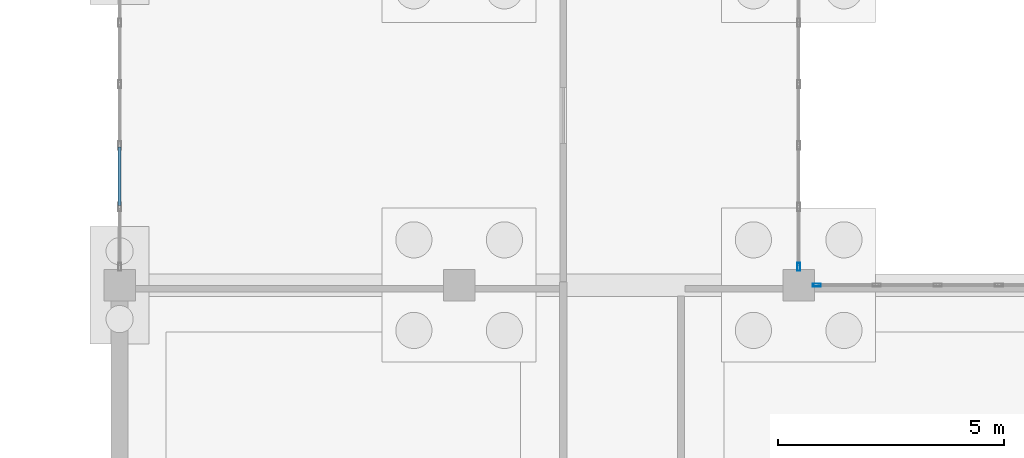
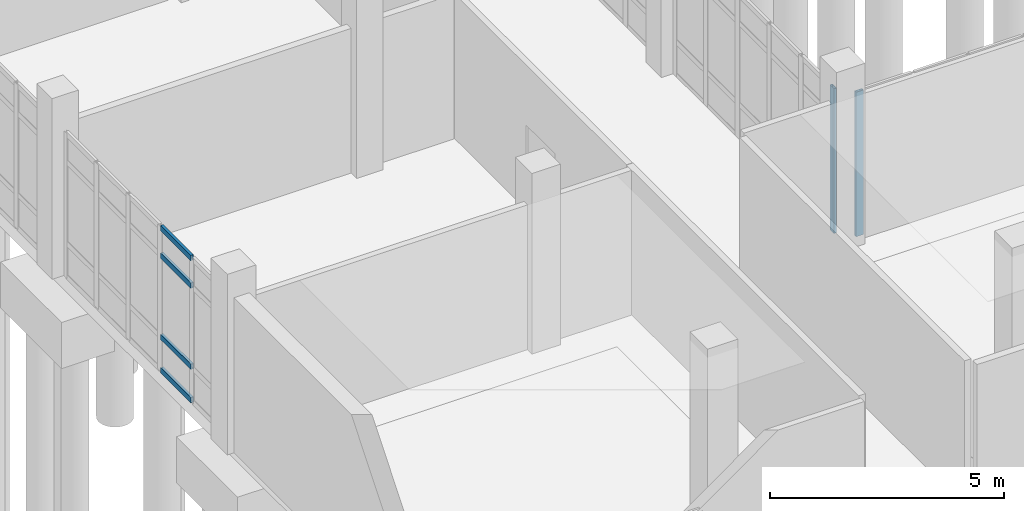
# One storey, part 38 of 173: 6 members, 3 elements without a shape of their own.
"""IFC4 building model written with IfcOpenShell, lengths in metres."""

from ifc_helpers import new_model, si_unit, direction, frame, origin, origin_2d, place, context, subcontext, project, spatial, hollow_rectangle, extrude, material, layer, layer_set, material_profile, profile_set, type_object, element, aggregate, save


model = new_model("IFC4")

# Units and contexts
model_context = context("Model", 3, precision=1e-05, world=origin(), true_north=direction((0.0, 1.0)))
body_context = subcontext(model_context, "Body", "Model", "MODEL_VIEW")
ifc_project = project(units=[si_unit("LENGTHUNIT", "METRE"), si_unit("AREAUNIT", "SQUARE_METRE"), si_unit("VOLUMEUNIT", "CUBIC_METRE"), si_unit("PLANEANGLEUNIT", "RADIAN"), si_unit("MASSUNIT", "GRAM", prefix="KILO")], contexts=[model_context])

# Site, building, storey
site_placement = place(None, origin())
site = spatial("IfcSite", under=ifc_project, at=site_placement, CompositionType="ELEMENT")
building_placement = place(site_placement, origin())
building = spatial("IfcBuilding", under=site, at=building_placement, Name="Mawjan Specialist Oncology Clinic", CompositionType="ELEMENT")
storey_placement = place(building_placement, origin())
storey = spatial("IfcBuildingStorey", under=building, at=storey_placement, Name="L00", CompositionType="ELEMENT", Elevation=0.0)

# Curtain wall, member
ifc_material_1 = material(Name="Unitised spectrally selective aluminium curtain wall", Category="aluminium")
ifc_layer_1 = layer(ifc_material_1, 0.179931640625, Name="Unitised spectrally selective aluminium curtain wall", Category="aluminium")
ifc_layer_set_1 = layer_set([ifc_layer_1], Name="Unitised spectrally selective aluminium curtain wall")
curtain_wall_type_1 = type_object("IfcCurtainWallType", Name="CW-29", PredefinedType="NOTDEFINED", material=ifc_layer_set_1)
curtain_wall_1_placement = place(storey_placement, origin())
curtain_wall_1 = element("IfcCurtainWall", 1, at=curtain_wall_1_placement, inside=storey, type_object=curtain_wall_type_1, Name="L00 Unitised Curtain Wall CW-L00-056", PredefinedType="NOTDEFINED")
ifc_material_2 = material(Name="Thermally broken aluminium 6063-T6", Category="aluminium")
ifc_material_profile_1 = material_profile(ifc_material_2, hollow_rectangle(XDim=0.06494140625, YDim=0.179931640625, WallThickness=0.00390625, at=origin_2d()), Name="ALU MULLION 180x65x4", Category="aluminium")
ifc_profile_set_1 = profile_set([ifc_material_profile_1], Name="Thermally broken aluminium 6063-T6")
member_type_1 = type_object("IfcMemberType", Name="CW-M180", PredefinedType="MULLION", material=ifc_profile_set_1)
member_1_placement = place(storey_placement, frame((15.402587890625, 45.800048828125, 0.0), z_axis=(0.0, 0.0, 1.0), x_axis=(0.0, 1.0, 0.0)))
member_1 = element("IfcMember", 2, at=member_1_placement, type_object=member_type_1, Name="CW-29 mullion 1", PredefinedType="MULLION", context=body_context, shape_type="SweptSolid", body=[
    extrude(hollow_rectangle(XDim=0.06494140625, YDim=0.179931640625, WallThickness=0.00390625, at=origin_2d()), origin(), (0.0, 0.0, 1.0), 3.764892578125),
])
aggregate(curtain_wall_1, [member_1])

ifc_material_3 = material(Name="Unitised spectrally selective aluminium curtain wall", Category="aluminium")
ifc_layer_2 = layer(ifc_material_3, 0.179931640625, Name="Unitised spectrally selective aluminium curtain wall", Category="aluminium")
ifc_layer_set_2 = layer_set([ifc_layer_2], Name="Unitised spectrally selective aluminium curtain wall")
curtain_wall_type_2 = type_object("IfcCurtainWallType", Name="CW-03", PredefinedType="NOTDEFINED", material=ifc_layer_set_2)
curtain_wall_2_placement = place(storey_placement, origin())
curtain_wall_2 = element("IfcCurtainWall", 3, at=curtain_wall_2_placement, inside=storey, type_object=curtain_wall_type_2, Name="L00 Unitised Curtain Wall CW-L00-063", PredefinedType="NOTDEFINED")
member_2_placement = place(storey_placement, frame((15.0, 46.202392578125, 0.0), z_axis=(0.0, 0.0, 1.0), x_axis=(1.0, 0.0, 0.0)))
member_2 = element("IfcMember", 4, at=member_2_placement, type_object=member_type_1, Name="CW-03 mullion 6", PredefinedType="MULLION", context=body_context, shape_type="SweptSolid", body=[
    extrude(hollow_rectangle(XDim=0.06494140625, YDim=0.179931640625, WallThickness=0.00390625, at=origin_2d()), origin(), (0.0, 0.0, 1.0), 3.764892578125),
])
aggregate(curtain_wall_2, [member_2])

# Curtain wall, members
curtain_wall_3_placement = place(storey_placement, origin())
curtain_wall_3 = element("IfcCurtainWall", 5, at=curtain_wall_3_placement, inside=storey, type_object=curtain_wall_type_2, Name="L00 Unitised Curtain Wall CW-L00-005", PredefinedType="NOTDEFINED")
ifc_material_4 = material(Name="Thermally broken aluminium 6063-T6", Category="aluminium")
ifc_material_profile_2 = material_profile(ifc_material_4, hollow_rectangle(XDim=0.06494140625, YDim=0.139892578125, WallThickness=0.00390625, at=origin_2d()), Name="ALU TRANSOM 140x65x4", Category="aluminium")
ifc_profile_set_2 = profile_set([ifc_material_profile_2], Name="Thermally broken aluminium 6063-T6")
member_type_2 = type_object("IfcMemberType", Name="CW-T140", PredefinedType="USERDEFINED", material=ifc_profile_set_2)
member_3_placement = place(storey_placement, frame((0.0, 47.5595703125, 0.032470703125), z_axis=(0.0, 1.0, 0.0), x_axis=(-1.0, 0.0, 0.0)))
member_3 = element("IfcMember", 6, at=member_3_placement, type_object=member_type_2, Name="CW-03 transom 2.1", ObjectType="TRANSOM", PredefinedType="USERDEFINED", context=body_context, shape_type="SweptSolid", body=[
    extrude(hollow_rectangle(XDim=0.06494140625, YDim=0.139892578125, WallThickness=0.00390625, at=origin_2d()), origin(), (0.0, 0.0, 1.0), 1.2919921875),
])
member_4_placement = place(storey_placement, frame((0.0, 47.5595703125, 0.89990234375), z_axis=(0.0, 1.0, 0.0), x_axis=(-1.0, 0.0, 0.0)))
member_4 = element("IfcMember", 7, at=member_4_placement, type_object=member_type_2, Name="CW-03 transom 2.2", ObjectType="TRANSOM", PredefinedType="USERDEFINED", context=body_context, shape_type="SweptSolid", body=[
    extrude(hollow_rectangle(XDim=0.06494140625, YDim=0.139892578125, WallThickness=0.00390625, at=origin_2d()), origin(), (0.0, 0.0, 1.0), 1.2919921875),
])
member_5_placement = place(storey_placement, frame((0.0, 47.5595703125, 3.014892578125), z_axis=(0.0, 1.0, 0.0), x_axis=(-1.0, 0.0, 0.0)))
member_5 = element("IfcMember", 8, at=member_5_placement, type_object=member_type_2, Name="CW-03 transom 2.3", ObjectType="TRANSOM", PredefinedType="USERDEFINED", context=body_context, shape_type="SweptSolid", body=[
    extrude(hollow_rectangle(XDim=0.06494140625, YDim=0.139892578125, WallThickness=0.00390625, at=origin_2d()), origin(), (0.0, 0.0, 1.0), 1.2919921875),
])
member_6_placement = place(storey_placement, frame((0.0, 47.5595703125, 3.732421875), z_axis=(0.0, 1.0, 0.0), x_axis=(-1.0, 0.0, 0.0)))
member_6 = element("IfcMember", 9, at=member_6_placement, type_object=member_type_2, Name="CW-03 transom 2.4", ObjectType="TRANSOM", PredefinedType="USERDEFINED", context=body_context, shape_type="SweptSolid", body=[
    extrude(hollow_rectangle(XDim=0.06494140625, YDim=0.139892578125, WallThickness=0.00390625, at=origin_2d()), origin(), (0.0, 0.0, 1.0), 1.2919921875),
])
aggregate(curtain_wall_3, [member_3, member_4, member_5, member_6])

save(model, "model.ifc")
